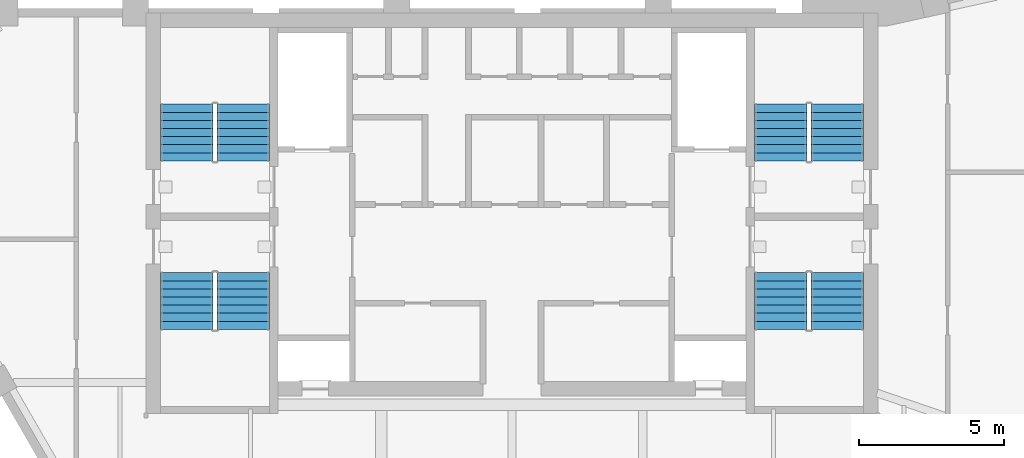
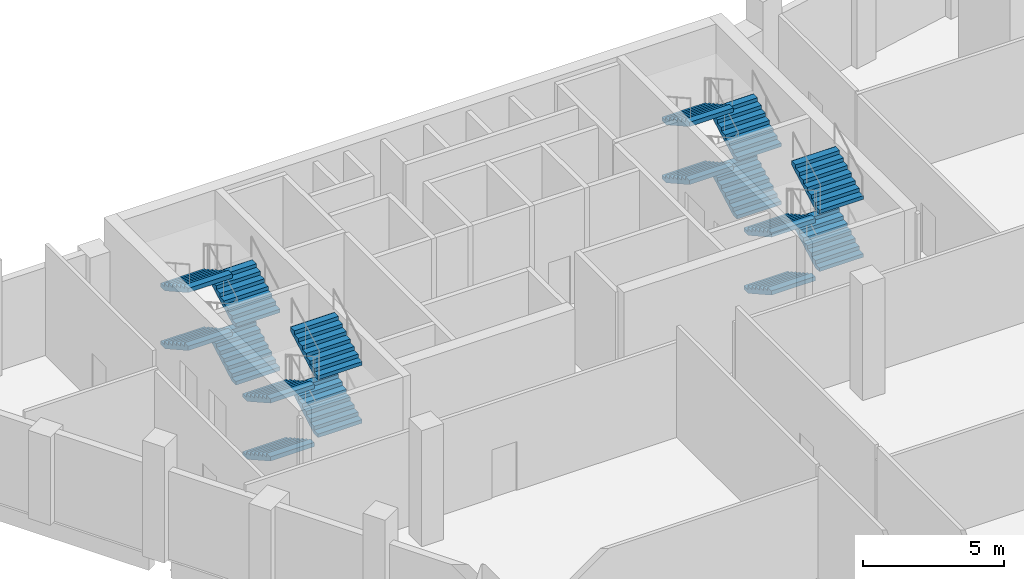
# One storey, part 7 of 9: 16 stair flights, 4 elements without a shape of their own.
"""IFC4 building model written with IfcOpenShell, lengths in metres."""

from ifc_helpers import new_model, si_unit, direction, frame, origin, place, context, subcontext, project, spatial, faceted_brep, source, transform, mapped, material, type_object, element, aggregate, save


model = new_model("IFC4")

# Units and contexts
model_context = context("Model", 3, precision=1e-05, world=origin(), true_north=direction((0.0, 1.0)))
body_context = subcontext(model_context, "Body", "Model", "MODEL_VIEW")
ifc_project = project(units=[si_unit("LENGTHUNIT", "METRE"), si_unit("AREAUNIT", "SQUARE_METRE"), si_unit("VOLUMEUNIT", "CUBIC_METRE"), si_unit("PLANEANGLEUNIT", "RADIAN"), si_unit("MASSUNIT", "GRAM", prefix="KILO")], contexts=[model_context])

# Site, building, storey
site_placement = place(None, origin())
site = spatial("IfcSite", under=ifc_project, at=site_placement, CompositionType="ELEMENT")
building_placement = place(site_placement, origin())
building = spatial("IfcBuilding", under=site, at=building_placement, Name="Calabash Gate Tower", CompositionType="ELEMENT")
storey_placement = place(building_placement, frame((0.0, 0.0, 315.5)))
storey = spatial("IfcBuildingStorey", under=building, at=storey_placement, Name="L74", CompositionType="ELEMENT", Elevation=315.5)

# Stair, stair flights
ifc_material_1 = material(Name="Concrete C40/50", Category="concrete")
stair_type = type_object("IfcStairType", Name="Exit stair 32 risers of 156.2 mm", PredefinedType="HALF_TURN_STAIR", material=ifc_material_1)
stair_1_placement = place(storey_placement, origin())
stair_1 = element("IfcStair", 1, at=stair_1_placement, inside=storey, type_object=stair_type, Name="L74 Exit stair ST1", PredefinedType="HALF_TURN_STAIR")
ifc_material_2 = material(Name="Concrete C40/50", Category="concrete")
stair_flight_type = type_object("IfcStairFlightType", Name="Exit stair flight SFL", PredefinedType="STRAIGHT", material=ifc_material_2)
shared_shape = source(origin(), body_context, "Body", "Brep", [
    faceted_brep([(-0.0009765625, -0.89990234375, 0.0), (0.306884765625, -0.89990234375, 0.0), (1.9541015625, -0.89990234375, 0.921875), (-0.0009765625, 0.89990234375, 0.0), (1.9541015625, 0.89990234375, 0.921875), (0.306884765625, 0.89990234375, 0.0), (1.9541015625, -0.89990234375, 1.105712890625), (1.952880859375, -0.89990234375, 1.105712890625), (1.952880859375, 0.89990234375, 1.105712890625), (1.9541015625, 0.89990234375, 1.105712890625), (1.952880859375, -0.89990234375, 1.09375), (1.952880859375, 0.89990234375, 1.09375), (1.674072265625, -0.89990234375, 1.09375), (1.674072265625, 0.89990234375, 1.09375), (1.674072265625, -0.89990234375, 0.9375), (1.674072265625, 0.89990234375, 0.9375), (1.39501953125, -0.89990234375, 0.9375), (1.39501953125, 0.89990234375, 0.9375), (1.39501953125, -0.89990234375, 0.78125), (1.39501953125, 0.89990234375, 0.78125), (1.115966796875, -0.89990234375, 0.78125), (1.115966796875, -0.89990234375, 0.625), (1.115966796875, 0.89990234375, 0.625), (1.115966796875, 0.89990234375, 0.78125), (0.8369140625, -0.89990234375, 0.625), (0.8369140625, -0.89990234375, 0.46875), (0.8369140625, 0.89990234375, 0.46875), (0.8369140625, 0.89990234375, 0.625), (0.55810546875, -0.89990234375, 0.46875), (0.55810546875, -0.89990234375, 0.3125), (0.55810546875, 0.89990234375, 0.3125), (0.55810546875, 0.89990234375, 0.46875), (0.279052734375, -0.89990234375, 0.3125), (0.279052734375, -0.89990234375, 0.15625), (0.279052734375, 0.89990234375, 0.15625), (0.279052734375, 0.89990234375, 0.3125), (-0.0009765625, -0.89990234375, 0.15625), (-0.0009765625, 0.89990234375, 0.15625), (0.306884765625, -0.360107421875, 0.0), (1.9541015625, -0.360107421875, 0.921875), (0.306884765625, -0.27001953125, 0.0), (1.9541015625, -0.27001953125, 0.921875), (0.306884765625, -0.179931640625, 0.0), (1.9541015625, -0.179931640625, 0.921875), (0.306884765625, -0.090087890625, 0.0), (1.9541015625, -0.090087890625, 0.921875), (0.306884765625, 0.0, 0.0), (1.9541015625, 0.0, 0.921875), (0.306884765625, 0.090087890625, 0.0), (1.9541015625, 0.090087890625, 0.921875), (0.306884765625, 0.179931640625, 0.0), (1.9541015625, 0.179931640625, 0.921875), (0.306884765625, 0.27001953125, 0.0), (1.9541015625, 0.27001953125, 0.921875), (0.306884765625, 0.360107421875, 0.0), (1.9541015625, 0.360107421875, 0.921875), (1.9541015625, -0.360107421875, 1.105712890625), (1.9541015625, -0.27001953125, 1.105712890625), (1.9541015625, -0.179931640625, 1.105712890625), (1.9541015625, -0.090087890625, 1.105712890625), (1.9541015625, 0.0, 1.105712890625), (1.9541015625, 0.090087890625, 1.105712890625), (1.9541015625, 0.179931640625, 1.105712890625), (1.9541015625, 0.27001953125, 1.105712890625), (1.9541015625, 0.360107421875, 1.105712890625), (1.952880859375, -0.360107421875, 1.105712890625), (1.952880859375, -0.27001953125, 1.105712890625), (1.952880859375, -0.179931640625, 1.105712890625), (1.952880859375, -0.090087890625, 1.105712890625), (1.952880859375, 0.0, 1.105712890625), (1.952880859375, 0.090087890625, 1.105712890625), (1.952880859375, 0.179931640625, 1.105712890625), (1.952880859375, 0.27001953125, 1.105712890625), (1.952880859375, 0.360107421875, 1.105712890625), (1.952880859375, -0.360107421875, 1.09375), (1.952880859375, -0.27001953125, 1.09375), (1.952880859375, -0.179931640625, 1.09375), (1.952880859375, -0.090087890625, 1.09375), (1.952880859375, 0.0, 1.09375), (1.952880859375, 0.090087890625, 1.09375), (1.952880859375, 0.179931640625, 1.09375), (1.952880859375, 0.27001953125, 1.09375), (1.952880859375, 0.360107421875, 1.09375), (1.674072265625, -0.360107421875, 1.09375), (1.674072265625, -0.27001953125, 1.09375), (1.674072265625, -0.179931640625, 1.09375), (1.674072265625, -0.090087890625, 1.09375), (1.674072265625, 0.0, 1.09375), (1.674072265625, 0.090087890625, 1.09375), (1.674072265625, 0.179931640625, 1.09375), (1.674072265625, 0.27001953125, 1.09375), (1.674072265625, 0.360107421875, 1.09375), (1.674072265625, -0.360107421875, 0.9375), (1.674072265625, -0.27001953125, 0.9375), (1.674072265625, -0.179931640625, 0.9375), (1.674072265625, -0.090087890625, 0.9375), (1.674072265625, 0.0, 0.9375), (1.674072265625, 0.090087890625, 0.9375), (1.674072265625, 0.179931640625, 0.9375), (1.674072265625, 0.27001953125, 0.9375), (1.674072265625, 0.360107421875, 0.9375), (1.39501953125, -0.360107421875, 0.9375), (1.39501953125, -0.27001953125, 0.9375), (1.39501953125, -0.179931640625, 0.9375), (1.39501953125, -0.090087890625, 0.9375), (1.39501953125, 0.0, 0.9375), (1.39501953125, 0.090087890625, 0.9375), (1.39501953125, 0.179931640625, 0.9375), (1.39501953125, 0.27001953125, 0.9375), (1.39501953125, 0.360107421875, 0.9375), (1.39501953125, -0.360107421875, 0.78125), (1.39501953125, -0.27001953125, 0.78125), (1.39501953125, -0.179931640625, 0.78125), (1.39501953125, -0.090087890625, 0.78125), (1.39501953125, 0.0, 0.78125), (1.39501953125, 0.090087890625, 0.78125), (1.39501953125, 0.179931640625, 0.78125), (1.39501953125, 0.27001953125, 0.78125), (1.39501953125, 0.360107421875, 0.78125), (1.115966796875, -0.360107421875, 0.78125), (1.115966796875, -0.27001953125, 0.78125), (1.115966796875, -0.179931640625, 0.78125), (1.115966796875, -0.090087890625, 0.78125), (1.115966796875, 0.0, 0.78125), (1.115966796875, 0.090087890625, 0.78125), (1.115966796875, 0.179931640625, 0.78125), (1.115966796875, 0.27001953125, 0.78125), (1.115966796875, 0.360107421875, 0.78125), (1.115966796875, -0.360107421875, 0.625), (1.115966796875, -0.27001953125, 0.625), (1.115966796875, -0.179931640625, 0.625), (1.115966796875, -0.090087890625, 0.625), (1.115966796875, 0.0, 0.625), (1.115966796875, 0.090087890625, 0.625), (1.115966796875, 0.179931640625, 0.625), (1.115966796875, 0.27001953125, 0.625), (1.115966796875, 0.360107421875, 0.625), (0.8369140625, -0.360107421875, 0.625), (0.8369140625, -0.27001953125, 0.625), (0.8369140625, -0.179931640625, 0.625), (0.8369140625, -0.090087890625, 0.625), (0.8369140625, 0.0, 0.625), (0.8369140625, 0.090087890625, 0.625), (0.8369140625, 0.179931640625, 0.625), (0.8369140625, 0.27001953125, 0.625), (0.8369140625, 0.360107421875, 0.625), (0.8369140625, -0.360107421875, 0.46875), (0.8369140625, -0.27001953125, 0.46875), (0.8369140625, -0.179931640625, 0.46875), (0.8369140625, -0.090087890625, 0.46875), (0.8369140625, 0.0, 0.46875), (0.8369140625, 0.090087890625, 0.46875), (0.8369140625, 0.179931640625, 0.46875), (0.8369140625, 0.27001953125, 0.46875), (0.8369140625, 0.360107421875, 0.46875), (0.55810546875, -0.360107421875, 0.46875), (0.55810546875, -0.27001953125, 0.46875), (0.55810546875, -0.179931640625, 0.46875), (0.55810546875, -0.090087890625, 0.46875), (0.55810546875, 0.0, 0.46875), (0.55810546875, 0.090087890625, 0.46875), (0.55810546875, 0.179931640625, 0.46875), (0.55810546875, 0.27001953125, 0.46875), (0.55810546875, 0.360107421875, 0.46875), (0.55810546875, -0.360107421875, 0.3125), (0.55810546875, -0.27001953125, 0.3125), (0.55810546875, -0.179931640625, 0.3125), (0.55810546875, -0.090087890625, 0.3125), (0.55810546875, 0.0, 0.3125), (0.55810546875, 0.090087890625, 0.3125), (0.55810546875, 0.179931640625, 0.3125), (0.55810546875, 0.27001953125, 0.3125), (0.55810546875, 0.360107421875, 0.3125), (0.279052734375, -0.360107421875, 0.3125), (0.279052734375, -0.27001953125, 0.3125), (0.279052734375, -0.179931640625, 0.3125), (0.279052734375, -0.090087890625, 0.3125), (0.279052734375, 0.0, 0.3125), (0.279052734375, 0.090087890625, 0.3125), (0.279052734375, 0.179931640625, 0.3125), (0.279052734375, 0.27001953125, 0.3125), (0.279052734375, 0.360107421875, 0.3125), (0.279052734375, -0.360107421875, 0.15625), (0.279052734375, -0.27001953125, 0.15625), (0.279052734375, -0.179931640625, 0.15625), (0.279052734375, -0.090087890625, 0.15625), (0.279052734375, 0.0, 0.15625), (0.279052734375, 0.090087890625, 0.15625), (0.279052734375, 0.179931640625, 0.15625), (0.279052734375, 0.27001953125, 0.15625), (0.279052734375, 0.360107421875, 0.15625), (-0.0009765625, -0.360107421875, 0.15625), (-0.0009765625, -0.27001953125, 0.15625), (-0.0009765625, -0.179931640625, 0.15625), (-0.0009765625, -0.090087890625, 0.15625), (-0.0009765625, 0.0, 0.15625), (-0.0009765625, 0.090087890625, 0.15625), (-0.0009765625, 0.179931640625, 0.15625), (-0.0009765625, 0.27001953125, 0.15625), (-0.0009765625, 0.360107421875, 0.15625), (-0.0009765625, -0.360107421875, 0.0), (-0.0009765625, -0.27001953125, 0.0), (-0.0009765625, -0.179931640625, 0.0), (-0.0009765625, -0.090087890625, 0.0), (-0.0009765625, 0.0, 0.0), (-0.0009765625, 0.090087890625, 0.0), (-0.0009765625, 0.179931640625, 0.0), (-0.0009765625, 0.27001953125, 0.0), (-0.0009765625, 0.360107421875, 0.0)], [[[0, 1, 2]], [[3, 4, 5]], [[2, 6, 7]], [[4, 8, 9]], [[2, 7, 10]], [[4, 11, 8]], [[2, 10, 12]], [[4, 13, 11]], [[2, 12, 14]], [[4, 15, 13]], [[2, 14, 16]], [[4, 17, 15]], [[2, 16, 18]], [[4, 19, 17]], [[18, 20, 21]], [[19, 22, 23]], [[2, 18, 21]], [[4, 22, 19]], [[21, 24, 25]], [[22, 26, 27]], [[2, 21, 25]], [[4, 26, 22]], [[25, 28, 29]], [[26, 30, 31]], [[2, 25, 29]], [[4, 30, 26]], [[29, 32, 33]], [[30, 34, 35]], [[2, 29, 33]], [[4, 34, 30]], [[0, 2, 33]], [[3, 34, 4]], [[33, 36, 0]], [[34, 3, 37]], [[1, 38, 2]], [[38, 39, 2]], [[38, 40, 39]], [[40, 41, 39]], [[40, 42, 41]], [[42, 43, 41]], [[42, 44, 43]], [[44, 45, 43]], [[44, 46, 45]], [[46, 47, 45]], [[46, 48, 49]], [[46, 49, 47]], [[48, 50, 51]], [[48, 51, 49]], [[50, 52, 53]], [[50, 53, 51]], [[52, 54, 55]], [[52, 55, 53]], [[54, 5, 4]], [[54, 4, 55]], [[2, 39, 6]], [[39, 56, 6]], [[39, 41, 56]], [[41, 57, 56]], [[41, 43, 57]], [[43, 58, 57]], [[43, 45, 58]], [[45, 59, 58]], [[45, 47, 59]], [[47, 60, 59]], [[47, 49, 61]], [[47, 61, 60]], [[49, 51, 62]], [[49, 62, 61]], [[51, 53, 63]], [[51, 63, 62]], [[53, 55, 64]], [[53, 64, 63]], [[55, 4, 9]], [[55, 9, 64]], [[6, 56, 7]], [[56, 65, 7]], [[56, 57, 65]], [[57, 66, 65]], [[57, 58, 66]], [[58, 67, 66]], [[58, 59, 67]], [[59, 68, 67]], [[59, 60, 68]], [[60, 69, 68]], [[60, 61, 70]], [[60, 70, 69]], [[61, 62, 71]], [[61, 71, 70]], [[62, 63, 72]], [[62, 72, 71]], [[63, 64, 73]], [[63, 73, 72]], [[64, 9, 8]], [[64, 8, 73]], [[7, 65, 10]], [[65, 74, 10]], [[65, 66, 74]], [[66, 75, 74]], [[66, 67, 75]], [[67, 76, 75]], [[67, 68, 76]], [[68, 77, 76]], [[68, 69, 77]], [[69, 78, 77]], [[69, 70, 79]], [[69, 79, 78]], [[70, 71, 80]], [[70, 80, 79]], [[71, 72, 81]], [[71, 81, 80]], [[72, 73, 82]], [[72, 82, 81]], [[73, 8, 11]], [[73, 11, 82]], [[10, 74, 12]], [[74, 83, 12]], [[74, 75, 83]], [[75, 84, 83]], [[75, 76, 84]], [[76, 85, 84]], [[76, 77, 85]], [[77, 86, 85]], [[77, 78, 86]], [[78, 87, 86]], [[78, 79, 88]], [[78, 88, 87]], [[79, 80, 89]], [[79, 89, 88]], [[80, 81, 90]], [[80, 90, 89]], [[81, 82, 91]], [[81, 91, 90]], [[82, 11, 13]], [[82, 13, 91]], [[12, 83, 14]], [[83, 92, 14]], [[83, 84, 92]], [[84, 93, 92]], [[84, 85, 93]], [[85, 94, 93]], [[85, 86, 94]], [[86, 95, 94]], [[86, 87, 95]], [[87, 96, 95]], [[87, 88, 97]], [[87, 97, 96]], [[88, 89, 98]], [[88, 98, 97]], [[89, 90, 99]], [[89, 99, 98]], [[90, 91, 100]], [[90, 100, 99]], [[91, 13, 15]], [[91, 15, 100]], [[14, 92, 16]], [[92, 101, 16]], [[92, 93, 101]], [[93, 102, 101]], [[93, 94, 102]], [[94, 103, 102]], [[94, 95, 103]], [[95, 104, 103]], [[95, 96, 104]], [[96, 105, 104]], [[96, 97, 106]], [[96, 106, 105]], [[97, 98, 107]], [[97, 107, 106]], [[98, 99, 108]], [[98, 108, 107]], [[99, 100, 109]], [[99, 109, 108]], [[100, 15, 17]], [[100, 17, 109]], [[16, 101, 18]], [[101, 110, 18]], [[101, 102, 110]], [[102, 111, 110]], [[102, 103, 111]], [[103, 112, 111]], [[103, 104, 112]], [[104, 113, 112]], [[104, 105, 113]], [[105, 114, 113]], [[105, 106, 115]], [[105, 115, 114]], [[106, 107, 116]], [[106, 116, 115]], [[107, 108, 117]], [[107, 117, 116]], [[108, 109, 118]], [[108, 118, 117]], [[109, 17, 19]], [[109, 19, 118]], [[18, 110, 20]], [[110, 119, 20]], [[110, 111, 119]], [[111, 120, 119]], [[111, 112, 120]], [[112, 121, 120]], [[112, 113, 121]], [[113, 122, 121]], [[113, 114, 122]], [[114, 123, 122]], [[114, 115, 124]], [[114, 124, 123]], [[115, 116, 125]], [[115, 125, 124]], [[116, 117, 126]], [[116, 126, 125]], [[117, 118, 127]], [[117, 127, 126]], [[118, 19, 23]], [[118, 23, 127]], [[20, 119, 21]], [[119, 128, 21]], [[119, 120, 128]], [[120, 129, 128]], [[120, 121, 129]], [[121, 130, 129]], [[121, 122, 130]], [[122, 131, 130]], [[122, 123, 131]], [[123, 132, 131]], [[123, 124, 133]], [[123, 133, 132]], [[124, 125, 134]], [[124, 134, 133]], [[125, 126, 135]], [[125, 135, 134]], [[126, 127, 136]], [[126, 136, 135]], [[127, 23, 22]], [[127, 22, 136]], [[21, 128, 24]], [[128, 137, 24]], [[128, 129, 137]], [[129, 138, 137]], [[129, 130, 138]], [[130, 139, 138]], [[130, 131, 139]], [[131, 140, 139]], [[131, 132, 140]], [[132, 141, 140]], [[132, 133, 142]], [[132, 142, 141]], [[133, 134, 143]], [[133, 143, 142]], [[134, 135, 144]], [[134, 144, 143]], [[135, 136, 145]], [[135, 145, 144]], [[136, 22, 27]], [[136, 27, 145]], [[24, 137, 25]], [[137, 146, 25]], [[137, 138, 146]], [[138, 147, 146]], [[138, 139, 147]], [[139, 148, 147]], [[139, 140, 148]], [[140, 149, 148]], [[140, 141, 149]], [[141, 150, 149]], [[141, 142, 151]], [[141, 151, 150]], [[142, 143, 152]], [[142, 152, 151]], [[143, 144, 153]], [[143, 153, 152]], [[144, 145, 154]], [[144, 154, 153]], [[145, 27, 26]], [[145, 26, 154]], [[25, 146, 28]], [[146, 155, 28]], [[146, 147, 155]], [[147, 156, 155]], [[147, 148, 156]], [[148, 157, 156]], [[148, 149, 157]], [[149, 158, 157]], [[149, 150, 158]], [[150, 159, 158]], [[150, 151, 160]], [[150, 160, 159]], [[151, 152, 161]], [[151, 161, 160]], [[152, 153, 162]], [[152, 162, 161]], [[153, 154, 163]], [[153, 163, 162]], [[154, 26, 31]], [[154, 31, 163]], [[28, 155, 29]], [[155, 164, 29]], [[155, 156, 164]], [[156, 165, 164]], [[156, 157, 165]], [[157, 166, 165]], [[157, 158, 166]], [[158, 167, 166]], [[158, 159, 167]], [[159, 168, 167]], [[159, 160, 169]], [[159, 169, 168]], [[160, 161, 170]], [[160, 170, 169]], [[161, 162, 171]], [[161, 171, 170]], [[162, 163, 172]], [[162, 172, 171]], [[163, 31, 30]], [[163, 30, 172]], [[29, 164, 32]], [[164, 173, 32]], [[164, 165, 173]], [[165, 174, 173]], [[165, 166, 174]], [[166, 175, 174]], [[166, 167, 175]], [[167, 176, 175]], [[167, 168, 176]], [[168, 177, 176]], [[168, 169, 178]], [[168, 178, 177]], [[169, 170, 179]], [[169, 179, 178]], [[170, 171, 180]], [[170, 180, 179]], [[171, 172, 181]], [[171, 181, 180]], [[172, 30, 35]], [[172, 35, 181]], [[32, 173, 33]], [[173, 182, 33]], [[173, 174, 182]], [[174, 183, 182]], [[174, 175, 183]], [[175, 184, 183]], [[175, 176, 184]], [[176, 185, 184]], [[176, 177, 185]], [[177, 186, 185]], [[177, 178, 187]], [[177, 187, 186]], [[178, 179, 188]], [[178, 188, 187]], [[179, 180, 189]], [[179, 189, 188]], [[180, 181, 190]], [[180, 190, 189]], [[181, 35, 34]], [[181, 34, 190]], [[33, 182, 36]], [[182, 191, 36]], [[182, 183, 191]], [[183, 192, 191]], [[183, 184, 192]], [[184, 193, 192]], [[184, 185, 193]], [[185, 194, 193]], [[185, 186, 194]], [[186, 195, 194]], [[186, 187, 196]], [[186, 196, 195]], [[187, 188, 197]], [[187, 197, 196]], [[188, 189, 198]], [[188, 198, 197]], [[189, 190, 199]], [[189, 199, 198]], [[190, 34, 37]], [[190, 37, 199]], [[36, 191, 0]], [[191, 200, 0]], [[191, 192, 200]], [[192, 201, 200]], [[192, 193, 201]], [[193, 202, 201]], [[193, 194, 202]], [[194, 203, 202]], [[194, 195, 203]], [[195, 204, 203]], [[195, 196, 205]], [[195, 205, 204]], [[196, 197, 206]], [[196, 206, 205]], [[197, 198, 207]], [[197, 207, 206]], [[198, 199, 208]], [[198, 208, 207]], [[199, 37, 3]], [[199, 3, 208]], [[0, 200, 1]], [[200, 38, 1]], [[200, 201, 38]], [[201, 40, 38]], [[201, 202, 40]], [[202, 42, 40]], [[202, 203, 42]], [[203, 44, 42]], [[203, 204, 44]], [[204, 46, 44]], [[204, 205, 48]], [[204, 48, 46]], [[205, 206, 50]], [[205, 50, 48]], [[206, 207, 52]], [[206, 52, 50]], [[207, 208, 54]], [[207, 54, 52]], [[208, 3, 5]], [[208, 5, 54]]]),
])
stair_flight_1_placement = place(storey_placement, frame((-9.25, 13.95263671875, 0.0), z_axis=(0.0, 0.0, 1.0), x_axis=(0.0, 1.0, 0.0)))
stair_flight_1 = element("IfcStairFlight", 2, at=stair_flight_1_placement, type_object=stair_flight_type, Name="ST1 flight 1", NumberOfRisers=8, NumberOfTreads=7, PredefinedType="STRAIGHT", RiserHeight=0.15625, TreadLength=0.279, context=body_context, shape_type="MappedRepresentation", body=[
    mapped(shared_shape, transform((0.0, 0.0, 0.0), scale=1.0)),
])
stair_flight_2_placement = place(storey_placement, frame((-11.199951171875, 15.905517578125, 1.25), z_axis=(0.0, 0.0, 1.0), x_axis=(0.0, -1.0, 0.0)))
stair_flight_2 = element("IfcStairFlight", 3, at=stair_flight_2_placement, type_object=stair_flight_type, Name="ST1 flight 2", NumberOfRisers=8, NumberOfTreads=7, PredefinedType="STRAIGHT", RiserHeight=0.15625, TreadLength=0.279, context=body_context, shape_type="MappedRepresentation", body=[
    mapped(shared_shape, transform((0.0, 0.0, 0.0), scale=1.0)),
])
stair_flight_3_placement = place(storey_placement, frame((-9.25, 13.95263671875, 2.5), z_axis=(0.0, 0.0, 1.0), x_axis=(0.0, 1.0, 0.0)))
stair_flight_3 = element("IfcStairFlight", 4, at=stair_flight_3_placement, type_object=stair_flight_type, Name="ST1 flight 3", NumberOfRisers=8, NumberOfTreads=7, PredefinedType="STRAIGHT", RiserHeight=0.15625, TreadLength=0.279, context=body_context, shape_type="MappedRepresentation", body=[
    mapped(shared_shape, transform((0.0, 0.0, 0.0), scale=1.0)),
])
stair_flight_4_placement = place(storey_placement, frame((-11.199951171875, 15.905517578125, 3.75), z_axis=(0.0, 0.0, 1.0), x_axis=(0.0, -1.0, 0.0)))
stair_flight_4 = element("IfcStairFlight", 5, at=stair_flight_4_placement, type_object=stair_flight_type, Name="ST1 flight 4", NumberOfRisers=8, NumberOfTreads=7, PredefinedType="STRAIGHT", RiserHeight=0.15625, TreadLength=0.279, context=body_context, shape_type="MappedRepresentation", body=[
    mapped(shared_shape, transform((0.0, 0.0, 0.0), scale=1.0)),
])
aggregate(stair_1, [stair_flight_1, stair_flight_2, stair_flight_3, stair_flight_4])

stair_2_placement = place(storey_placement, origin())
stair_2 = element("IfcStair", 6, at=stair_2_placement, inside=storey, type_object=stair_type, Name="L74 Exit stair ST2", PredefinedType="HALF_TURN_STAIR")
stair_flight_5_placement = place(storey_placement, frame((-11.199951171875, 10.1025390625, 0.0), z_axis=(0.0, 0.0, 1.0), x_axis=(0.0, -1.0, 0.0)))
stair_flight_5 = element("IfcStairFlight", 7, at=stair_flight_5_placement, type_object=stair_flight_type, Name="ST2 flight 1", NumberOfRisers=8, NumberOfTreads=7, PredefinedType="STRAIGHT", RiserHeight=0.15625, TreadLength=0.279, context=body_context, shape_type="MappedRepresentation", body=[
    mapped(shared_shape, transform((0.0, 0.0, 0.0), scale=1.0)),
])
stair_flight_6_placement = place(storey_placement, frame((-9.25, 8.149658203125, 1.25), z_axis=(0.0, 0.0, 1.0), x_axis=(0.0, 1.0, 0.0)))
stair_flight_6 = element("IfcStairFlight", 8, at=stair_flight_6_placement, type_object=stair_flight_type, Name="ST2 flight 2", NumberOfRisers=8, NumberOfTreads=7, PredefinedType="STRAIGHT", RiserHeight=0.15625, TreadLength=0.279, context=body_context, shape_type="MappedRepresentation", body=[
    mapped(shared_shape, transform((0.0, 0.0, 0.0), scale=1.0)),
])
stair_flight_7_placement = place(storey_placement, frame((-11.199951171875, 10.1025390625, 2.5), z_axis=(0.0, 0.0, 1.0), x_axis=(0.0, -1.0, 0.0)))
stair_flight_7 = element("IfcStairFlight", 9, at=stair_flight_7_placement, type_object=stair_flight_type, Name="ST2 flight 3", NumberOfRisers=8, NumberOfTreads=7, PredefinedType="STRAIGHT", RiserHeight=0.15625, TreadLength=0.279, context=body_context, shape_type="MappedRepresentation", body=[
    mapped(shared_shape, transform((0.0, 0.0, 0.0), scale=1.0)),
])
stair_flight_8_placement = place(storey_placement, frame((-9.25, 8.149658203125, 3.75), z_axis=(0.0, 0.0, 1.0), x_axis=(0.0, 1.0, 0.0)))
stair_flight_8 = element("IfcStairFlight", 10, at=stair_flight_8_placement, type_object=stair_flight_type, Name="ST2 flight 4", NumberOfRisers=8, NumberOfTreads=7, PredefinedType="STRAIGHT", RiserHeight=0.15625, TreadLength=0.279, context=body_context, shape_type="MappedRepresentation", body=[
    mapped(shared_shape, transform((0.0, 0.0, 0.0), scale=1.0)),
])
aggregate(stair_2, [stair_flight_5, stair_flight_6, stair_flight_7, stair_flight_8])

stair_3_placement = place(storey_placement, origin())
stair_3 = element("IfcStair", 11, at=stair_3_placement, inside=storey, type_object=stair_type, Name="L74 Exit stair ST3", PredefinedType="HALF_TURN_STAIR")
stair_flight_9_placement = place(storey_placement, frame((11.199951171875, 13.95263671875, 0.0), z_axis=(0.0, 0.0, 1.0), x_axis=(0.0, 1.0, 0.0)))
stair_flight_9 = element("IfcStairFlight", 12, at=stair_flight_9_placement, type_object=stair_flight_type, Name="ST3 flight 1", NumberOfRisers=8, NumberOfTreads=7, PredefinedType="STRAIGHT", RiserHeight=0.15625, TreadLength=0.279, context=body_context, shape_type="MappedRepresentation", body=[
    mapped(shared_shape, transform((0.0, 0.0, 0.0), scale=1.0)),
])
stair_flight_10_placement = place(storey_placement, frame((9.25, 15.905517578125, 1.25), z_axis=(0.0, 0.0, 1.0), x_axis=(0.0, -1.0, 0.0)))
stair_flight_10 = element("IfcStairFlight", 13, at=stair_flight_10_placement, type_object=stair_flight_type, Name="ST3 flight 2", NumberOfRisers=8, NumberOfTreads=7, PredefinedType="STRAIGHT", RiserHeight=0.15625, TreadLength=0.279, context=body_context, shape_type="MappedRepresentation", body=[
    mapped(shared_shape, transform((0.0, 0.0, 0.0), scale=1.0)),
])
stair_flight_11_placement = place(storey_placement, frame((11.199951171875, 13.95263671875, 2.5), z_axis=(0.0, 0.0, 1.0), x_axis=(0.0, 1.0, 0.0)))
stair_flight_11 = element("IfcStairFlight", 14, at=stair_flight_11_placement, type_object=stair_flight_type, Name="ST3 flight 3", NumberOfRisers=8, NumberOfTreads=7, PredefinedType="STRAIGHT", RiserHeight=0.15625, TreadLength=0.279, context=body_context, shape_type="MappedRepresentation", body=[
    mapped(shared_shape, transform((0.0, 0.0, 0.0), scale=1.0)),
])
stair_flight_12_placement = place(storey_placement, frame((9.25, 15.905517578125, 3.75), z_axis=(0.0, 0.0, 1.0), x_axis=(0.0, -1.0, 0.0)))
stair_flight_12 = element("IfcStairFlight", 15, at=stair_flight_12_placement, type_object=stair_flight_type, Name="ST3 flight 4", NumberOfRisers=8, NumberOfTreads=7, PredefinedType="STRAIGHT", RiserHeight=0.15625, TreadLength=0.279, context=body_context, shape_type="MappedRepresentation", body=[
    mapped(shared_shape, transform((0.0, 0.0, 0.0), scale=1.0)),
])
aggregate(stair_3, [stair_flight_9, stair_flight_10, stair_flight_11, stair_flight_12])

stair_4_placement = place(storey_placement, origin())
stair_4 = element("IfcStair", 16, at=stair_4_placement, inside=storey, type_object=stair_type, Name="L74 Exit stair ST4", PredefinedType="HALF_TURN_STAIR")
stair_flight_13_placement = place(storey_placement, frame((9.25, 10.1025390625, 0.0), z_axis=(0.0, 0.0, 1.0), x_axis=(0.0, -1.0, 0.0)))
stair_flight_13 = element("IfcStairFlight", 17, at=stair_flight_13_placement, type_object=stair_flight_type, Name="ST4 flight 1", NumberOfRisers=8, NumberOfTreads=7, PredefinedType="STRAIGHT", RiserHeight=0.15625, TreadLength=0.279, context=body_context, shape_type="MappedRepresentation", body=[
    mapped(shared_shape, transform((0.0, 0.0, 0.0), scale=1.0)),
])
stair_flight_14_placement = place(storey_placement, frame((11.199951171875, 8.149658203125, 1.25), z_axis=(0.0, 0.0, 1.0), x_axis=(0.0, 1.0, 0.0)))
stair_flight_14 = element("IfcStairFlight", 18, at=stair_flight_14_placement, type_object=stair_flight_type, Name="ST4 flight 2", NumberOfRisers=8, NumberOfTreads=7, PredefinedType="STRAIGHT", RiserHeight=0.15625, TreadLength=0.279, context=body_context, shape_type="MappedRepresentation", body=[
    mapped(shared_shape, transform((0.0, 0.0, 0.0), scale=1.0)),
])
stair_flight_15_placement = place(storey_placement, frame((9.25, 10.1025390625, 2.5), z_axis=(0.0, 0.0, 1.0), x_axis=(0.0, -1.0, 0.0)))
stair_flight_15 = element("IfcStairFlight", 19, at=stair_flight_15_placement, type_object=stair_flight_type, Name="ST4 flight 3", NumberOfRisers=8, NumberOfTreads=7, PredefinedType="STRAIGHT", RiserHeight=0.15625, TreadLength=0.279, context=body_context, shape_type="MappedRepresentation", body=[
    mapped(shared_shape, transform((0.0, 0.0, 0.0), scale=1.0)),
])
stair_flight_16_placement = place(storey_placement, frame((11.199951171875, 8.149658203125, 3.75), z_axis=(0.0, 0.0, 1.0), x_axis=(0.0, 1.0, 0.0)))
stair_flight_16 = element("IfcStairFlight", 20, at=stair_flight_16_placement, type_object=stair_flight_type, Name="ST4 flight 4", NumberOfRisers=8, NumberOfTreads=7, PredefinedType="STRAIGHT", RiserHeight=0.15625, TreadLength=0.279, context=body_context, shape_type="MappedRepresentation", body=[
    mapped(shared_shape, transform((0.0, 0.0, 0.0), scale=1.0)),
])
aggregate(stair_4, [stair_flight_13, stair_flight_14, stair_flight_15, stair_flight_16])

save(model, "model.ifc")
